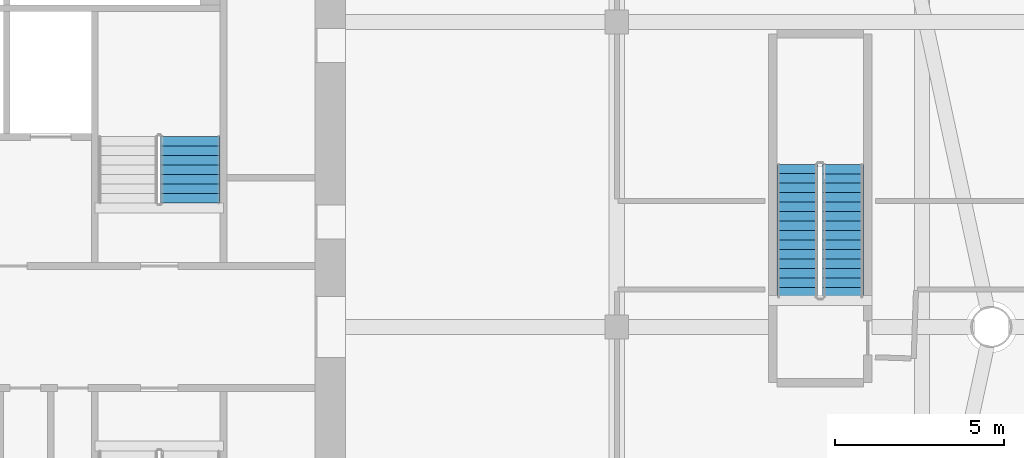
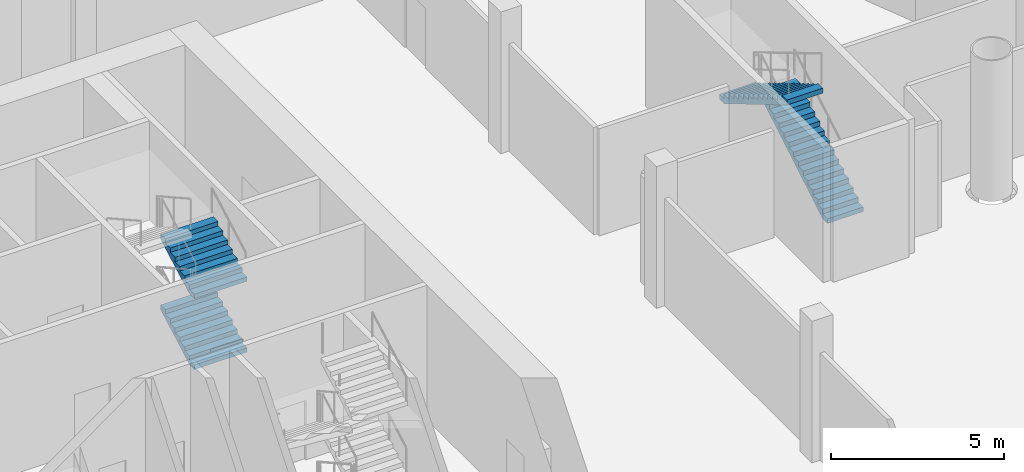
# One storey, part 16 of 22: 4 stair flights, 2 elements without a shape of their own.
"""IFC4 building model written with IfcOpenShell, lengths in metres."""

from ifc_helpers import new_model, si_unit, direction, frame, origin, place, context, subcontext, project, spatial, faceted_brep, material, type_object, element, aggregate, save


model = new_model("IFC4")

# Units and contexts
model_context = context("Model", 3, precision=1e-05, world=origin(), true_north=direction((0.0, 1.0)))
body_context = subcontext(model_context, "Body", "Model", "MODEL_VIEW")
ifc_project = project(units=[si_unit("LENGTHUNIT", "METRE"), si_unit("AREAUNIT", "SQUARE_METRE"), si_unit("VOLUMEUNIT", "CUBIC_METRE"), si_unit("PLANEANGLEUNIT", "RADIAN"), si_unit("MASSUNIT", "GRAM", prefix="KILO")], contexts=[model_context])

# Site, building, storey
site_placement = place(None, origin())
site = spatial("IfcSite", under=ifc_project, at=site_placement, CompositionType="ELEMENT")
building_placement = place(site_placement, origin())
building = spatial("IfcBuilding", under=site, at=building_placement, Name="Tarsis Ring Headquarters", CompositionType="ELEMENT")
storey_placement = place(building_placement, frame((0.0, 0.0, 25.0)))
storey = spatial("IfcBuildingStorey", under=building, at=storey_placement, Name="L04", CompositionType="ELEMENT", Elevation=25.0)

# Stair, stair flights
ifc_material_1 = material(Name="Core stair 1760")
stair_type_1 = type_object("IfcStairType", Name="Core stair 1760", PredefinedType="HALF_TURN_STAIR", material=ifc_material_1)
stair_1_placement = place(storey_placement, origin())
stair_1 = element("IfcStair", 1, at=stair_1_placement, inside=storey, type_object=stair_type_1, Name="L04 Exit stair B", PredefinedType="HALF_TURN_STAIR")
ifc_material_2 = material(Name="Concrete C40/50", Category="concrete")
stair_flight_type_1 = type_object("IfcStairFlightType", Name="Core stair flight 1760", PredefinedType="STRAIGHT", material=ifc_material_2)
stair_flight_1_placement = place(storey_placement, frame((5.419921875, 3.659912109375, 0.0), z_axis=(0.0, 0.0, 1.0), x_axis=(0.0, 1.0, 0.0)))
stair_flight_1 = element("IfcStairFlight", 2, at=stair_flight_1_placement, type_object=stair_flight_type_1, Name="Stair ST2 flight 1", NumberOfRisers=8, NumberOfTreads=7, PredefinedType="STRAIGHT", RiserHeight=0.15625, TreadLength=0.28, context=body_context, shape_type="Brep", body=[
    faceted_brep([(0.0, 0.8798828125, 0.0), (0.0, 0.8798828125, 0.15625), (0.280029296875, 0.8798828125, 0.15625), (0.280029296875, 0.8798828125, 0.3125), (0.56005859375, 0.8798828125, 0.3125), (0.56005859375, 0.8798828125, 0.46875), (0.840087890625, 0.8798828125, 0.46875), (0.840087890625, 0.8798828125, 0.625), (1.1201171875, 0.8798828125, 0.625), (1.1201171875, 0.8798828125, 0.78125), (1.39990234375, 0.8798828125, 0.78125), (1.39990234375, 0.8798828125, 0.9375), (1.679931640625, 0.8798828125, 0.9375), (1.679931640625, 0.8798828125, 1.09375), (1.9599609375, 0.8798828125, 1.09375), (1.9599609375, 0.8798828125, 0.922119140625), (0.3076171875, 0.8798828125, 0.0), (0.3076171875, -0.8798828125, 0.0), (1.9599609375, -0.8798828125, 0.922119140625), (1.9599609375, -0.8798828125, 1.09375), (1.679931640625, -0.8798828125, 1.09375), (1.679931640625, -0.8798828125, 0.9375), (1.39990234375, -0.8798828125, 0.9375), (1.39990234375, -0.8798828125, 0.78125), (1.1201171875, -0.8798828125, 0.78125), (1.1201171875, -0.8798828125, 0.625), (0.840087890625, -0.8798828125, 0.625), (0.840087890625, -0.8798828125, 0.46875), (0.56005859375, -0.8798828125, 0.46875), (0.56005859375, -0.8798828125, 0.3125), (0.280029296875, -0.8798828125, 0.3125), (0.280029296875, -0.8798828125, 0.15625), (0.0, -0.8798828125, 0.15625), (0.0, -0.8798828125, 0.0), (0.0, -0.43994140625, 0.15625), (0.0, -0.43994140625, 0.0), (0.0, 0.0, 0.15625), (0.0, 0.0, 0.0), (0.0, 0.43994140625, 0.15625), (0.0, 0.43994140625, 0.0), (0.280029296875, -0.43994140625, 0.15625), (0.280029296875, 0.0, 0.15625), (0.280029296875, 0.43994140625, 0.15625), (0.280029296875, -0.43994140625, 0.3125), (0.280029296875, 0.0, 0.3125), (0.280029296875, 0.43994140625, 0.3125), (0.56005859375, -0.43994140625, 0.3125), (0.56005859375, 0.0, 0.3125), (0.56005859375, 0.43994140625, 0.3125), (0.56005859375, -0.43994140625, 0.46875), (0.56005859375, 0.0, 0.46875), (0.56005859375, 0.43994140625, 0.46875), (0.840087890625, -0.43994140625, 0.46875), (0.840087890625, 0.0, 0.46875), (0.840087890625, 0.43994140625, 0.46875), (0.840087890625, -0.43994140625, 0.625), (0.840087890625, 0.0, 0.625), (0.840087890625, 0.43994140625, 0.625), (1.1201171875, -0.43994140625, 0.625), (1.1201171875, 0.0, 0.625), (1.1201171875, 0.43994140625, 0.625), (1.1201171875, -0.43994140625, 0.78125), (1.1201171875, 0.0, 0.78125), (1.1201171875, 0.43994140625, 0.78125), (1.39990234375, -0.43994140625, 0.78125), (1.39990234375, 0.0, 0.78125), (1.39990234375, 0.43994140625, 0.78125), (1.39990234375, -0.43994140625, 0.9375), (1.39990234375, 0.0, 0.9375), (1.39990234375, 0.43994140625, 0.9375), (1.679931640625, -0.43994140625, 0.9375), (1.679931640625, 0.0, 0.9375), (1.679931640625, 0.43994140625, 0.9375), (1.679931640625, -0.43994140625, 1.09375), (1.679931640625, 0.0, 1.09375), (1.679931640625, 0.43994140625, 1.09375), (1.9599609375, -0.43994140625, 1.09375), (1.9599609375, 0.0, 1.09375), (1.9599609375, 0.43994140625, 1.09375), (1.9599609375, -0.43994140625, 0.922119140625), (1.9599609375, 0.0, 0.922119140625), (1.9599609375, 0.43994140625, 0.922119140625), (0.3076171875, -0.43994140625, 0.0), (0.3076171875, 0.0, 0.0), (0.3076171875, 0.43994140625, 0.0)], [[[0, 1, 2, 3, 4, 5, 6, 7, 8, 9, 10, 11, 12, 13, 14, 15, 16]], [[17, 18, 19, 20, 21, 22, 23, 24, 25, 26, 27, 28, 29, 30, 31, 32, 33]], [[33, 32, 34, 35]], [[35, 34, 36, 37]], [[37, 36, 38, 39]], [[39, 38, 1, 0]], [[32, 31, 40, 34]], [[34, 40, 41, 36]], [[36, 41, 42, 38]], [[38, 42, 2, 1]], [[31, 30, 43, 40]], [[40, 43, 44, 41]], [[41, 44, 45, 42]], [[42, 45, 3, 2]], [[30, 29, 46, 43]], [[43, 46, 47, 44]], [[44, 47, 48, 45]], [[45, 48, 4, 3]], [[29, 28, 49, 46]], [[46, 49, 50, 47]], [[47, 50, 51, 48]], [[48, 51, 5, 4]], [[28, 27, 52, 49]], [[49, 52, 53, 50]], [[50, 53, 54, 51]], [[51, 54, 6, 5]], [[27, 26, 55, 52]], [[52, 55, 56, 53]], [[53, 56, 57, 54]], [[54, 57, 7, 6]], [[26, 25, 58, 55]], [[55, 58, 59, 56]], [[56, 59, 60, 57]], [[57, 60, 8, 7]], [[25, 24, 61, 58]], [[58, 61, 62, 59]], [[59, 62, 63, 60]], [[60, 63, 9, 8]], [[24, 23, 64, 61]], [[61, 64, 65, 62]], [[62, 65, 66, 63]], [[63, 66, 10, 9]], [[23, 22, 67, 64]], [[64, 67, 68, 65]], [[65, 68, 69, 66]], [[66, 69, 11, 10]], [[22, 21, 70, 67]], [[67, 70, 71, 68]], [[68, 71, 72, 69]], [[69, 72, 12, 11]], [[21, 20, 73, 70]], [[70, 73, 74, 71]], [[71, 74, 75, 72]], [[72, 75, 13, 12]], [[20, 19, 76, 73]], [[73, 76, 77, 74]], [[74, 77, 78, 75]], [[75, 78, 14, 13]], [[19, 18, 79, 76]], [[76, 79, 80, 77]], [[77, 80, 81, 78]], [[78, 81, 15, 14]], [[18, 17, 82, 79]], [[79, 82, 83, 80]], [[80, 83, 84, 81]], [[81, 84, 16, 15]], [[17, 33, 35, 82]], [[82, 35, 37, 83]], [[83, 37, 39, 84]], [[84, 39, 0, 16]]]),
])
stair_flight_2_placement = place(storey_placement, frame((5.419921875, 3.659912109375, 2.5), z_axis=(0.0, 0.0, 1.0), x_axis=(0.0, 1.0, 0.0)))
stair_flight_2 = element("IfcStairFlight", 3, at=stair_flight_2_placement, type_object=stair_flight_type_1, Name="Stair ST2 flight 3", NumberOfRisers=8, NumberOfTreads=7, PredefinedType="STRAIGHT", RiserHeight=0.15625, TreadLength=0.28, context=body_context, shape_type="Brep", body=[
    faceted_brep([(0.0, 0.8798828125, 0.0), (0.0, 0.8798828125, 0.15625), (0.280029296875, 0.8798828125, 0.15625), (0.280029296875, 0.8798828125, 0.3125), (0.56005859375, 0.8798828125, 0.3125), (0.56005859375, 0.8798828125, 0.46875), (0.840087890625, 0.8798828125, 0.46875), (0.840087890625, 0.8798828125, 0.625), (1.1201171875, 0.8798828125, 0.625), (1.1201171875, 0.8798828125, 0.78125), (1.39990234375, 0.8798828125, 0.78125), (1.39990234375, 0.8798828125, 0.9375), (1.679931640625, 0.8798828125, 0.9375), (1.679931640625, 0.8798828125, 1.09375), (1.9599609375, 0.8798828125, 1.09375), (1.9599609375, 0.8798828125, 0.922119140625), (0.3076171875, 0.8798828125, 0.0), (0.3076171875, -0.8798828125, 0.0), (1.9599609375, -0.8798828125, 0.922119140625), (1.9599609375, -0.8798828125, 1.09375), (1.679931640625, -0.8798828125, 1.09375), (1.679931640625, -0.8798828125, 0.9375), (1.39990234375, -0.8798828125, 0.9375), (1.39990234375, -0.8798828125, 0.78125), (1.1201171875, -0.8798828125, 0.78125), (1.1201171875, -0.8798828125, 0.625), (0.840087890625, -0.8798828125, 0.625), (0.840087890625, -0.8798828125, 0.46875), (0.56005859375, -0.8798828125, 0.46875), (0.56005859375, -0.8798828125, 0.3125), (0.280029296875, -0.8798828125, 0.3125), (0.280029296875, -0.8798828125, 0.15625), (0.0, -0.8798828125, 0.15625), (0.0, -0.8798828125, 0.0), (0.0, -0.43994140625, 0.15625), (0.0, -0.43994140625, 0.0), (0.0, 0.0, 0.15625), (0.0, 0.0, 0.0), (0.0, 0.43994140625, 0.15625), (0.0, 0.43994140625, 0.0), (0.280029296875, -0.43994140625, 0.15625), (0.280029296875, 0.0, 0.15625), (0.280029296875, 0.43994140625, 0.15625), (0.280029296875, -0.43994140625, 0.3125), (0.280029296875, 0.0, 0.3125), (0.280029296875, 0.43994140625, 0.3125), (0.56005859375, -0.43994140625, 0.3125), (0.56005859375, 0.0, 0.3125), (0.56005859375, 0.43994140625, 0.3125), (0.56005859375, -0.43994140625, 0.46875), (0.56005859375, 0.0, 0.46875), (0.56005859375, 0.43994140625, 0.46875), (0.840087890625, -0.43994140625, 0.46875), (0.840087890625, 0.0, 0.46875), (0.840087890625, 0.43994140625, 0.46875), (0.840087890625, -0.43994140625, 0.625), (0.840087890625, 0.0, 0.625), (0.840087890625, 0.43994140625, 0.625), (1.1201171875, -0.43994140625, 0.625), (1.1201171875, 0.0, 0.625), (1.1201171875, 0.43994140625, 0.625), (1.1201171875, -0.43994140625, 0.78125), (1.1201171875, 0.0, 0.78125), (1.1201171875, 0.43994140625, 0.78125), (1.39990234375, -0.43994140625, 0.78125), (1.39990234375, 0.0, 0.78125), (1.39990234375, 0.43994140625, 0.78125), (1.39990234375, -0.43994140625, 0.9375), (1.39990234375, 0.0, 0.9375), (1.39990234375, 0.43994140625, 0.9375), (1.679931640625, -0.43994140625, 0.9375), (1.679931640625, 0.0, 0.9375), (1.679931640625, 0.43994140625, 0.9375), (1.679931640625, -0.43994140625, 1.09375), (1.679931640625, 0.0, 1.09375), (1.679931640625, 0.43994140625, 1.09375), (1.9599609375, -0.43994140625, 1.09375), (1.9599609375, 0.0, 1.09375), (1.9599609375, 0.43994140625, 1.09375), (1.9599609375, -0.43994140625, 0.922119140625), (1.9599609375, 0.0, 0.922119140625), (1.9599609375, 0.43994140625, 0.922119140625), (0.3076171875, -0.43994140625, 0.0), (0.3076171875, 0.0, 0.0), (0.3076171875, 0.43994140625, 0.0)], [[[0, 1, 2, 3, 4, 5, 6, 7, 8, 9, 10, 11, 12, 13, 14, 15, 16]], [[17, 18, 19, 20, 21, 22, 23, 24, 25, 26, 27, 28, 29, 30, 31, 32, 33]], [[33, 32, 34, 35]], [[35, 34, 36, 37]], [[37, 36, 38, 39]], [[39, 38, 1, 0]], [[32, 31, 40, 34]], [[34, 40, 41, 36]], [[36, 41, 42, 38]], [[38, 42, 2, 1]], [[31, 30, 43, 40]], [[40, 43, 44, 41]], [[41, 44, 45, 42]], [[42, 45, 3, 2]], [[30, 29, 46, 43]], [[43, 46, 47, 44]], [[44, 47, 48, 45]], [[45, 48, 4, 3]], [[29, 28, 49, 46]], [[46, 49, 50, 47]], [[47, 50, 51, 48]], [[48, 51, 5, 4]], [[28, 27, 52, 49]], [[49, 52, 53, 50]], [[50, 53, 54, 51]], [[51, 54, 6, 5]], [[27, 26, 55, 52]], [[52, 55, 56, 53]], [[53, 56, 57, 54]], [[54, 57, 7, 6]], [[26, 25, 58, 55]], [[55, 58, 59, 56]], [[56, 59, 60, 57]], [[57, 60, 8, 7]], [[25, 24, 61, 58]], [[58, 61, 62, 59]], [[59, 62, 63, 60]], [[60, 63, 9, 8]], [[24, 23, 64, 61]], [[61, 64, 65, 62]], [[62, 65, 66, 63]], [[63, 66, 10, 9]], [[23, 22, 67, 64]], [[64, 67, 68, 65]], [[65, 68, 69, 66]], [[66, 69, 11, 10]], [[22, 21, 70, 67]], [[67, 70, 71, 68]], [[68, 71, 72, 69]], [[69, 72, 12, 11]], [[21, 20, 73, 70]], [[70, 73, 74, 71]], [[71, 74, 75, 72]], [[72, 75, 13, 12]], [[20, 19, 76, 73]], [[73, 76, 77, 74]], [[74, 77, 78, 75]], [[75, 78, 14, 13]], [[19, 18, 79, 76]], [[76, 79, 80, 77]], [[77, 80, 81, 78]], [[78, 81, 15, 14]], [[18, 17, 82, 79]], [[79, 82, 83, 80]], [[80, 83, 84, 81]], [[81, 84, 16, 15]], [[17, 33, 35, 82]], [[82, 35, 37, 83]], [[83, 37, 39, 84]], [[84, 39, 0, 16]]]),
])
aggregate(stair_1, [stair_flight_1, stair_flight_2])

stair_type_2 = type_object("IfcStairType", Name="PO-ST", PredefinedType="HALF_TURN_STAIR", material=ifc_material_2)
stair_2_placement = place(storey_placement, origin())
stair_2 = element("IfcStair", 4, at=stair_2_placement, inside=storey, type_object=stair_type_2, Name="L04 Podium stair", PredefinedType="HALF_TURN_STAIR")
stair_flight_type_2 = type_object("IfcStairFlightType", Name="PO-STF", PredefinedType="STRAIGHT", material=ifc_material_2)
stair_flight_3_placement = place(storey_placement, frame((24.675048828125, 0.8798828125, 0.0), z_axis=(0.0, 0.0, 1.0), x_axis=(0.0, 1.0, 0.0)))
stair_flight_3 = element("IfcStairFlight", 5, at=stair_flight_3_placement, type_object=stair_flight_type_2, Name="Stair PS1 flight 1", NumberOfRisers=15, NumberOfTreads=14, PredefinedType="STRAIGHT", RiserHeight=0.166666667, TreadLength=0.28, context=body_context, shape_type="Brep", body=[
    faceted_brep([(0.0, 0.60009765625, 0.0), (0.0, 0.60009765625, 0.166748046875), (0.280029296875, 0.60009765625, 0.166748046875), (0.280029296875, 0.60009765625, 0.333251953125), (0.56005859375, 0.60009765625, 0.333251953125), (0.56005859375, 0.60009765625, 0.5), (0.840087890625, 0.60009765625, 0.5), (0.840087890625, 0.60009765625, 0.666748046875), (1.1201171875, 0.60009765625, 0.666748046875), (1.1201171875, 0.60009765625, 0.833251953125), (1.39990234375, 0.60009765625, 0.833251953125), (1.39990234375, 0.60009765625, 1.0), (1.679931640625, 0.60009765625, 1.0), (1.679931640625, 0.60009765625, 1.166748046875), (1.9599609375, 0.60009765625, 1.166748046875), (1.9599609375, 0.60009765625, 1.333251953125), (2.239990234375, 0.60009765625, 1.333251953125), (2.239990234375, 0.60009765625, 1.5), (2.52001953125, 0.60009765625, 1.5), (2.52001953125, 0.60009765625, 1.666748046875), (2.800048828125, 0.60009765625, 1.666748046875), (2.800048828125, 0.60009765625, 1.833251953125), (3.080078125, 0.60009765625, 1.833251953125), (3.080078125, 0.60009765625, 2.0), (3.360107421875, 0.60009765625, 2.0), (3.360107421875, 0.60009765625, 2.166748046875), (3.639892578125, 0.60009765625, 2.166748046875), (3.639892578125, 0.60009765625, 2.333251953125), (3.919921875, 0.60009765625, 2.333251953125), (3.919921875, 0.60009765625, 2.158935546875), (0.29296875, 0.60009765625, 0.0), (0.29296875, -0.60009765625, 0.0), (3.919921875, -0.60009765625, 2.158935546875), (3.919921875, -0.60009765625, 2.333251953125), (3.639892578125, -0.60009765625, 2.333251953125), (3.639892578125, -0.60009765625, 2.166748046875), (3.360107421875, -0.60009765625, 2.166748046875), (3.360107421875, -0.60009765625, 2.0), (3.080078125, -0.60009765625, 2.0), (3.080078125, -0.60009765625, 1.833251953125), (2.800048828125, -0.60009765625, 1.833251953125), (2.800048828125, -0.60009765625, 1.666748046875), (2.52001953125, -0.60009765625, 1.666748046875), (2.52001953125, -0.60009765625, 1.5), (2.239990234375, -0.60009765625, 1.5), (2.239990234375, -0.60009765625, 1.333251953125), (1.9599609375, -0.60009765625, 1.333251953125), (1.9599609375, -0.60009765625, 1.166748046875), (1.679931640625, -0.60009765625, 1.166748046875), (1.679931640625, -0.60009765625, 1.0), (1.39990234375, -0.60009765625, 1.0), (1.39990234375, -0.60009765625, 0.833251953125), (1.1201171875, -0.60009765625, 0.833251953125), (1.1201171875, -0.60009765625, 0.666748046875), (0.840087890625, -0.60009765625, 0.666748046875), (0.840087890625, -0.60009765625, 0.5), (0.56005859375, -0.60009765625, 0.5), (0.56005859375, -0.60009765625, 0.333251953125), (0.280029296875, -0.60009765625, 0.333251953125), (0.280029296875, -0.60009765625, 0.166748046875), (0.0, -0.60009765625, 0.166748046875), (0.0, -0.60009765625, 0.0), (0.0, -0.300048828125, 0.166748046875), (0.0, -0.300048828125, 0.0), (0.0, 0.0, 0.166748046875), (0.0, 0.0, 0.0), (0.0, 0.300048828125, 0.166748046875), (0.0, 0.300048828125, 0.0), (0.280029296875, -0.300048828125, 0.166748046875), (0.280029296875, 0.0, 0.166748046875), (0.280029296875, 0.300048828125, 0.166748046875), (0.280029296875, -0.300048828125, 0.333251953125), (0.280029296875, 0.0, 0.333251953125), (0.280029296875, 0.300048828125, 0.333251953125), (0.56005859375, -0.300048828125, 0.333251953125), (0.56005859375, 0.0, 0.333251953125), (0.56005859375, 0.300048828125, 0.333251953125), (0.56005859375, -0.300048828125, 0.5), (0.56005859375, 0.0, 0.5), (0.56005859375, 0.300048828125, 0.5), (0.840087890625, -0.300048828125, 0.5), (0.840087890625, 0.0, 0.5), (0.840087890625, 0.300048828125, 0.5), (0.840087890625, -0.300048828125, 0.666748046875), (0.840087890625, 0.0, 0.666748046875), (0.840087890625, 0.300048828125, 0.666748046875), (1.1201171875, -0.300048828125, 0.666748046875), (1.1201171875, 0.0, 0.666748046875), (1.1201171875, 0.300048828125, 0.666748046875), (1.1201171875, -0.300048828125, 0.833251953125), (1.1201171875, 0.0, 0.833251953125), (1.1201171875, 0.300048828125, 0.833251953125), (1.39990234375, -0.300048828125, 0.833251953125), (1.39990234375, 0.0, 0.833251953125), (1.39990234375, 0.300048828125, 0.833251953125), (1.39990234375, -0.300048828125, 1.0), (1.39990234375, 0.0, 1.0), (1.39990234375, 0.300048828125, 1.0), (1.679931640625, -0.300048828125, 1.0), (1.679931640625, 0.0, 1.0), (1.679931640625, 0.300048828125, 1.0), (1.679931640625, -0.300048828125, 1.166748046875), (1.679931640625, 0.0, 1.166748046875), (1.679931640625, 0.300048828125, 1.166748046875), (1.9599609375, -0.300048828125, 1.166748046875), (1.9599609375, 0.0, 1.166748046875), (1.9599609375, 0.300048828125, 1.166748046875), (1.9599609375, -0.300048828125, 1.333251953125), (1.9599609375, 0.0, 1.333251953125), (1.9599609375, 0.300048828125, 1.333251953125), (2.239990234375, -0.300048828125, 1.333251953125), (2.239990234375, 0.0, 1.333251953125), (2.239990234375, 0.300048828125, 1.333251953125), (2.239990234375, -0.300048828125, 1.5), (2.239990234375, 0.0, 1.5), (2.239990234375, 0.300048828125, 1.5), (2.52001953125, -0.300048828125, 1.5), (2.52001953125, 0.0, 1.5), (2.52001953125, 0.300048828125, 1.5), (2.52001953125, -0.300048828125, 1.666748046875), (2.52001953125, 0.0, 1.666748046875), (2.52001953125, 0.300048828125, 1.666748046875), (2.800048828125, -0.300048828125, 1.666748046875), (2.800048828125, 0.0, 1.666748046875), (2.800048828125, 0.300048828125, 1.666748046875), (2.800048828125, -0.300048828125, 1.833251953125), (2.800048828125, 0.0, 1.833251953125), (2.800048828125, 0.300048828125, 1.833251953125), (3.080078125, -0.300048828125, 1.833251953125), (3.080078125, 0.0, 1.833251953125), (3.080078125, 0.300048828125, 1.833251953125), (3.080078125, -0.300048828125, 2.0), (3.080078125, 0.0, 2.0), (3.080078125, 0.300048828125, 2.0), (3.360107421875, -0.300048828125, 2.0), (3.360107421875, 0.0, 2.0), (3.360107421875, 0.300048828125, 2.0), (3.360107421875, -0.300048828125, 2.166748046875), (3.360107421875, 0.0, 2.166748046875), (3.360107421875, 0.300048828125, 2.166748046875), (3.639892578125, -0.300048828125, 2.166748046875), (3.639892578125, 0.0, 2.166748046875), (3.639892578125, 0.300048828125, 2.166748046875), (3.639892578125, -0.300048828125, 2.333251953125), (3.639892578125, 0.0, 2.333251953125), (3.639892578125, 0.300048828125, 2.333251953125), (3.919921875, -0.300048828125, 2.333251953125), (3.919921875, 0.0, 2.333251953125), (3.919921875, 0.300048828125, 2.333251953125), (3.919921875, -0.300048828125, 2.158935546875), (3.919921875, 0.0, 2.158935546875), (3.919921875, 0.300048828125, 2.158935546875), (0.29296875, -0.300048828125, 0.0), (0.29296875, 0.0, 0.0), (0.29296875, 0.300048828125, 0.0)], [[[0, 1, 2, 3, 4, 5, 6, 7, 8, 9, 10, 11, 12, 13, 14, 15, 16, 17, 18, 19, 20, 21, 22, 23, 24, 25, 26, 27, 28, 29, 30]], [[31, 32, 33, 34, 35, 36, 37, 38, 39, 40, 41, 42, 43, 44, 45, 46, 47, 48, 49, 50, 51, 52, 53, 54, 55, 56, 57, 58, 59, 60, 61]], [[61, 60, 62, 63]], [[63, 62, 64, 65]], [[65, 64, 66, 67]], [[67, 66, 1, 0]], [[60, 59, 68, 62]], [[62, 68, 69, 64]], [[64, 69, 70, 66]], [[66, 70, 2, 1]], [[59, 58, 71, 68]], [[68, 71, 72, 69]], [[69, 72, 73, 70]], [[70, 73, 3, 2]], [[58, 57, 74, 71]], [[71, 74, 75, 72]], [[72, 75, 76, 73]], [[73, 76, 4, 3]], [[57, 56, 77, 74]], [[74, 77, 78, 75]], [[75, 78, 79, 76]], [[76, 79, 5, 4]], [[56, 55, 80, 77]], [[77, 80, 81, 78]], [[78, 81, 82, 79]], [[79, 82, 6, 5]], [[55, 54, 83, 80]], [[80, 83, 84, 81]], [[81, 84, 85, 82]], [[82, 85, 7, 6]], [[54, 53, 86, 83]], [[83, 86, 87, 84]], [[84, 87, 88, 85]], [[85, 88, 8, 7]], [[53, 52, 89, 86]], [[86, 89, 90, 87]], [[87, 90, 91, 88]], [[88, 91, 9, 8]], [[52, 51, 92, 89]], [[89, 92, 93, 90]], [[90, 93, 94, 91]], [[91, 94, 10, 9]], [[51, 50, 95, 92]], [[92, 95, 96, 93]], [[93, 96, 97, 94]], [[94, 97, 11, 10]], [[50, 49, 98, 95]], [[95, 98, 99, 96]], [[96, 99, 100, 97]], [[97, 100, 12, 11]], [[49, 48, 101, 98]], [[98, 101, 102, 99]], [[99, 102, 103, 100]], [[100, 103, 13, 12]], [[48, 47, 104, 101]], [[101, 104, 105, 102]], [[102, 105, 106, 103]], [[103, 106, 14, 13]], [[47, 46, 107, 104]], [[104, 107, 108, 105]], [[105, 108, 109, 106]], [[106, 109, 15, 14]], [[46, 45, 110, 107]], [[107, 110, 111, 108]], [[108, 111, 112, 109]], [[109, 112, 16, 15]], [[45, 44, 113, 110]], [[110, 113, 114, 111]], [[111, 114, 115, 112]], [[112, 115, 17, 16]], [[44, 43, 116, 113]], [[113, 116, 117, 114]], [[114, 117, 118, 115]], [[115, 118, 18, 17]], [[43, 42, 119, 116]], [[116, 119, 120, 117]], [[117, 120, 121, 118]], [[118, 121, 19, 18]], [[42, 41, 122, 119]], [[119, 122, 123, 120]], [[120, 123, 124, 121]], [[121, 124, 20, 19]], [[41, 40, 125, 122]], [[122, 125, 126, 123]], [[123, 126, 127, 124]], [[124, 127, 21, 20]], [[40, 39, 128, 125]], [[125, 128, 129, 126]], [[126, 129, 130, 127]], [[127, 130, 22, 21]], [[39, 38, 131, 128]], [[128, 131, 132, 129]], [[129, 132, 133, 130]], [[130, 133, 23, 22]], [[38, 37, 134, 131]], [[131, 134, 135, 132]], [[132, 135, 136, 133]], [[133, 136, 24, 23]], [[37, 36, 137, 134]], [[134, 137, 138, 135]], [[135, 138, 139, 136]], [[136, 139, 25, 24]], [[36, 35, 140, 137]], [[137, 140, 141, 138]], [[138, 141, 142, 139]], [[139, 142, 26, 25]], [[35, 34, 143, 140]], [[140, 143, 144, 141]], [[141, 144, 145, 142]], [[142, 145, 27, 26]], [[34, 33, 146, 143]], [[143, 146, 147, 144]], [[144, 147, 148, 145]], [[145, 148, 28, 27]], [[33, 32, 149, 146]], [[146, 149, 150, 147]], [[147, 150, 151, 148]], [[148, 151, 29, 28]], [[32, 31, 152, 149]], [[149, 152, 153, 150]], [[150, 153, 154, 151]], [[151, 154, 30, 29]], [[31, 61, 63, 152]], [[152, 63, 65, 153]], [[153, 65, 67, 154]], [[154, 67, 0, 30]]]),
])
stair_flight_4_placement = place(storey_placement, frame((23.324951171875, 4.800048828125, 2.5), z_axis=(0.0, 0.0, 1.0), x_axis=(0.0, -1.0, 0.0)))
stair_flight_4 = element("IfcStairFlight", 6, at=stair_flight_4_placement, type_object=stair_flight_type_2, Name="Stair PS1 flight 2", NumberOfRisers=15, NumberOfTreads=14, PredefinedType="STRAIGHT", RiserHeight=0.166666667, TreadLength=0.28, context=body_context, shape_type="Brep", body=[
    faceted_brep([(0.0, 0.60009765625, 0.0), (0.0, 0.60009765625, 0.166748046875), (0.280029296875, 0.60009765625, 0.166748046875), (0.280029296875, 0.60009765625, 0.333251953125), (0.56005859375, 0.60009765625, 0.333251953125), (0.56005859375, 0.60009765625, 0.5), (0.840087890625, 0.60009765625, 0.5), (0.840087890625, 0.60009765625, 0.666748046875), (1.1201171875, 0.60009765625, 0.666748046875), (1.1201171875, 0.60009765625, 0.833251953125), (1.39990234375, 0.60009765625, 0.833251953125), (1.39990234375, 0.60009765625, 1.0), (1.679931640625, 0.60009765625, 1.0), (1.679931640625, 0.60009765625, 1.166748046875), (1.9599609375, 0.60009765625, 1.166748046875), (1.9599609375, 0.60009765625, 1.333251953125), (2.239990234375, 0.60009765625, 1.333251953125), (2.239990234375, 0.60009765625, 1.5), (2.52001953125, 0.60009765625, 1.5), (2.52001953125, 0.60009765625, 1.666748046875), (2.800048828125, 0.60009765625, 1.666748046875), (2.800048828125, 0.60009765625, 1.833251953125), (3.080078125, 0.60009765625, 1.833251953125), (3.080078125, 0.60009765625, 2.0), (3.360107421875, 0.60009765625, 2.0), (3.360107421875, 0.60009765625, 2.166748046875), (3.639892578125, 0.60009765625, 2.166748046875), (3.639892578125, 0.60009765625, 2.333251953125), (3.919921875, 0.60009765625, 2.333251953125), (3.919921875, 0.60009765625, 2.158935546875), (0.29296875, 0.60009765625, 0.0), (0.29296875, -0.60009765625, 0.0), (3.919921875, -0.60009765625, 2.158935546875), (3.919921875, -0.60009765625, 2.333251953125), (3.639892578125, -0.60009765625, 2.333251953125), (3.639892578125, -0.60009765625, 2.166748046875), (3.360107421875, -0.60009765625, 2.166748046875), (3.360107421875, -0.60009765625, 2.0), (3.080078125, -0.60009765625, 2.0), (3.080078125, -0.60009765625, 1.833251953125), (2.800048828125, -0.60009765625, 1.833251953125), (2.800048828125, -0.60009765625, 1.666748046875), (2.52001953125, -0.60009765625, 1.666748046875), (2.52001953125, -0.60009765625, 1.5), (2.239990234375, -0.60009765625, 1.5), (2.239990234375, -0.60009765625, 1.333251953125), (1.9599609375, -0.60009765625, 1.333251953125), (1.9599609375, -0.60009765625, 1.166748046875), (1.679931640625, -0.60009765625, 1.166748046875), (1.679931640625, -0.60009765625, 1.0), (1.39990234375, -0.60009765625, 1.0), (1.39990234375, -0.60009765625, 0.833251953125), (1.1201171875, -0.60009765625, 0.833251953125), (1.1201171875, -0.60009765625, 0.666748046875), (0.840087890625, -0.60009765625, 0.666748046875), (0.840087890625, -0.60009765625, 0.5), (0.56005859375, -0.60009765625, 0.5), (0.56005859375, -0.60009765625, 0.333251953125), (0.280029296875, -0.60009765625, 0.333251953125), (0.280029296875, -0.60009765625, 0.166748046875), (0.0, -0.60009765625, 0.166748046875), (0.0, -0.60009765625, 0.0), (0.0, -0.300048828125, 0.166748046875), (0.0, -0.300048828125, 0.0), (0.0, 0.0, 0.166748046875), (0.0, 0.0, 0.0), (0.0, 0.300048828125, 0.166748046875), (0.0, 0.300048828125, 0.0), (0.280029296875, -0.300048828125, 0.166748046875), (0.280029296875, 0.0, 0.166748046875), (0.280029296875, 0.300048828125, 0.166748046875), (0.280029296875, -0.300048828125, 0.333251953125), (0.280029296875, 0.0, 0.333251953125), (0.280029296875, 0.300048828125, 0.333251953125), (0.56005859375, -0.300048828125, 0.333251953125), (0.56005859375, 0.0, 0.333251953125), (0.56005859375, 0.300048828125, 0.333251953125), (0.56005859375, -0.300048828125, 0.5), (0.56005859375, 0.0, 0.5), (0.56005859375, 0.300048828125, 0.5), (0.840087890625, -0.300048828125, 0.5), (0.840087890625, 0.0, 0.5), (0.840087890625, 0.300048828125, 0.5), (0.840087890625, -0.300048828125, 0.666748046875), (0.840087890625, 0.0, 0.666748046875), (0.840087890625, 0.300048828125, 0.666748046875), (1.1201171875, -0.300048828125, 0.666748046875), (1.1201171875, 0.0, 0.666748046875), (1.1201171875, 0.300048828125, 0.666748046875), (1.1201171875, -0.300048828125, 0.833251953125), (1.1201171875, 0.0, 0.833251953125), (1.1201171875, 0.300048828125, 0.833251953125), (1.39990234375, -0.300048828125, 0.833251953125), (1.39990234375, 0.0, 0.833251953125), (1.39990234375, 0.300048828125, 0.833251953125), (1.39990234375, -0.300048828125, 1.0), (1.39990234375, 0.0, 1.0), (1.39990234375, 0.300048828125, 1.0), (1.679931640625, -0.300048828125, 1.0), (1.679931640625, 0.0, 1.0), (1.679931640625, 0.300048828125, 1.0), (1.679931640625, -0.300048828125, 1.166748046875), (1.679931640625, 0.0, 1.166748046875), (1.679931640625, 0.300048828125, 1.166748046875), (1.9599609375, -0.300048828125, 1.166748046875), (1.9599609375, 0.0, 1.166748046875), (1.9599609375, 0.300048828125, 1.166748046875), (1.9599609375, -0.300048828125, 1.333251953125), (1.9599609375, 0.0, 1.333251953125), (1.9599609375, 0.300048828125, 1.333251953125), (2.239990234375, -0.300048828125, 1.333251953125), (2.239990234375, 0.0, 1.333251953125), (2.239990234375, 0.300048828125, 1.333251953125), (2.239990234375, -0.300048828125, 1.5), (2.239990234375, 0.0, 1.5), (2.239990234375, 0.300048828125, 1.5), (2.52001953125, -0.300048828125, 1.5), (2.52001953125, 0.0, 1.5), (2.52001953125, 0.300048828125, 1.5), (2.52001953125, -0.300048828125, 1.666748046875), (2.52001953125, 0.0, 1.666748046875), (2.52001953125, 0.300048828125, 1.666748046875), (2.800048828125, -0.300048828125, 1.666748046875), (2.800048828125, 0.0, 1.666748046875), (2.800048828125, 0.300048828125, 1.666748046875), (2.800048828125, -0.300048828125, 1.833251953125), (2.800048828125, 0.0, 1.833251953125), (2.800048828125, 0.300048828125, 1.833251953125), (3.080078125, -0.300048828125, 1.833251953125), (3.080078125, 0.0, 1.833251953125), (3.080078125, 0.300048828125, 1.833251953125), (3.080078125, -0.300048828125, 2.0), (3.080078125, 0.0, 2.0), (3.080078125, 0.300048828125, 2.0), (3.360107421875, -0.300048828125, 2.0), (3.360107421875, 0.0, 2.0), (3.360107421875, 0.300048828125, 2.0), (3.360107421875, -0.300048828125, 2.166748046875), (3.360107421875, 0.0, 2.166748046875), (3.360107421875, 0.300048828125, 2.166748046875), (3.639892578125, -0.300048828125, 2.166748046875), (3.639892578125, 0.0, 2.166748046875), (3.639892578125, 0.300048828125, 2.166748046875), (3.639892578125, -0.300048828125, 2.333251953125), (3.639892578125, 0.0, 2.333251953125), (3.639892578125, 0.300048828125, 2.333251953125), (3.919921875, -0.300048828125, 2.333251953125), (3.919921875, 0.0, 2.333251953125), (3.919921875, 0.300048828125, 2.333251953125), (3.919921875, -0.300048828125, 2.158935546875), (3.919921875, 0.0, 2.158935546875), (3.919921875, 0.300048828125, 2.158935546875), (0.29296875, -0.300048828125, 0.0), (0.29296875, 0.0, 0.0), (0.29296875, 0.300048828125, 0.0)], [[[0, 1, 2, 3, 4, 5, 6, 7, 8, 9, 10, 11, 12, 13, 14, 15, 16, 17, 18, 19, 20, 21, 22, 23, 24, 25, 26, 27, 28, 29, 30]], [[31, 32, 33, 34, 35, 36, 37, 38, 39, 40, 41, 42, 43, 44, 45, 46, 47, 48, 49, 50, 51, 52, 53, 54, 55, 56, 57, 58, 59, 60, 61]], [[61, 60, 62, 63]], [[63, 62, 64, 65]], [[65, 64, 66, 67]], [[67, 66, 1, 0]], [[60, 59, 68, 62]], [[62, 68, 69, 64]], [[64, 69, 70, 66]], [[66, 70, 2, 1]], [[59, 58, 71, 68]], [[68, 71, 72, 69]], [[69, 72, 73, 70]], [[70, 73, 3, 2]], [[58, 57, 74, 71]], [[71, 74, 75, 72]], [[72, 75, 76, 73]], [[73, 76, 4, 3]], [[57, 56, 77, 74]], [[74, 77, 78, 75]], [[75, 78, 79, 76]], [[76, 79, 5, 4]], [[56, 55, 80, 77]], [[77, 80, 81, 78]], [[78, 81, 82, 79]], [[79, 82, 6, 5]], [[55, 54, 83, 80]], [[80, 83, 84, 81]], [[81, 84, 85, 82]], [[82, 85, 7, 6]], [[54, 53, 86, 83]], [[83, 86, 87, 84]], [[84, 87, 88, 85]], [[85, 88, 8, 7]], [[53, 52, 89, 86]], [[86, 89, 90, 87]], [[87, 90, 91, 88]], [[88, 91, 9, 8]], [[52, 51, 92, 89]], [[89, 92, 93, 90]], [[90, 93, 94, 91]], [[91, 94, 10, 9]], [[51, 50, 95, 92]], [[92, 95, 96, 93]], [[93, 96, 97, 94]], [[94, 97, 11, 10]], [[50, 49, 98, 95]], [[95, 98, 99, 96]], [[96, 99, 100, 97]], [[97, 100, 12, 11]], [[49, 48, 101, 98]], [[98, 101, 102, 99]], [[99, 102, 103, 100]], [[100, 103, 13, 12]], [[48, 47, 104, 101]], [[101, 104, 105, 102]], [[102, 105, 106, 103]], [[103, 106, 14, 13]], [[47, 46, 107, 104]], [[104, 107, 108, 105]], [[105, 108, 109, 106]], [[106, 109, 15, 14]], [[46, 45, 110, 107]], [[107, 110, 111, 108]], [[108, 111, 112, 109]], [[109, 112, 16, 15]], [[45, 44, 113, 110]], [[110, 113, 114, 111]], [[111, 114, 115, 112]], [[112, 115, 17, 16]], [[44, 43, 116, 113]], [[113, 116, 117, 114]], [[114, 117, 118, 115]], [[115, 118, 18, 17]], [[43, 42, 119, 116]], [[116, 119, 120, 117]], [[117, 120, 121, 118]], [[118, 121, 19, 18]], [[42, 41, 122, 119]], [[119, 122, 123, 120]], [[120, 123, 124, 121]], [[121, 124, 20, 19]], [[41, 40, 125, 122]], [[122, 125, 126, 123]], [[123, 126, 127, 124]], [[124, 127, 21, 20]], [[40, 39, 128, 125]], [[125, 128, 129, 126]], [[126, 129, 130, 127]], [[127, 130, 22, 21]], [[39, 38, 131, 128]], [[128, 131, 132, 129]], [[129, 132, 133, 130]], [[130, 133, 23, 22]], [[38, 37, 134, 131]], [[131, 134, 135, 132]], [[132, 135, 136, 133]], [[133, 136, 24, 23]], [[37, 36, 137, 134]], [[134, 137, 138, 135]], [[135, 138, 139, 136]], [[136, 139, 25, 24]], [[36, 35, 140, 137]], [[137, 140, 141, 138]], [[138, 141, 142, 139]], [[139, 142, 26, 25]], [[35, 34, 143, 140]], [[140, 143, 144, 141]], [[141, 144, 145, 142]], [[142, 145, 27, 26]], [[34, 33, 146, 143]], [[143, 146, 147, 144]], [[144, 147, 148, 145]], [[145, 148, 28, 27]], [[33, 32, 149, 146]], [[146, 149, 150, 147]], [[147, 150, 151, 148]], [[148, 151, 29, 28]], [[32, 31, 152, 149]], [[149, 152, 153, 150]], [[150, 153, 154, 151]], [[151, 154, 30, 29]], [[31, 61, 63, 152]], [[152, 63, 65, 153]], [[153, 65, 67, 154]], [[154, 67, 0, 30]]]),
])
aggregate(stair_2, [stair_flight_3, stair_flight_4])

save(model, "model.ifc")
